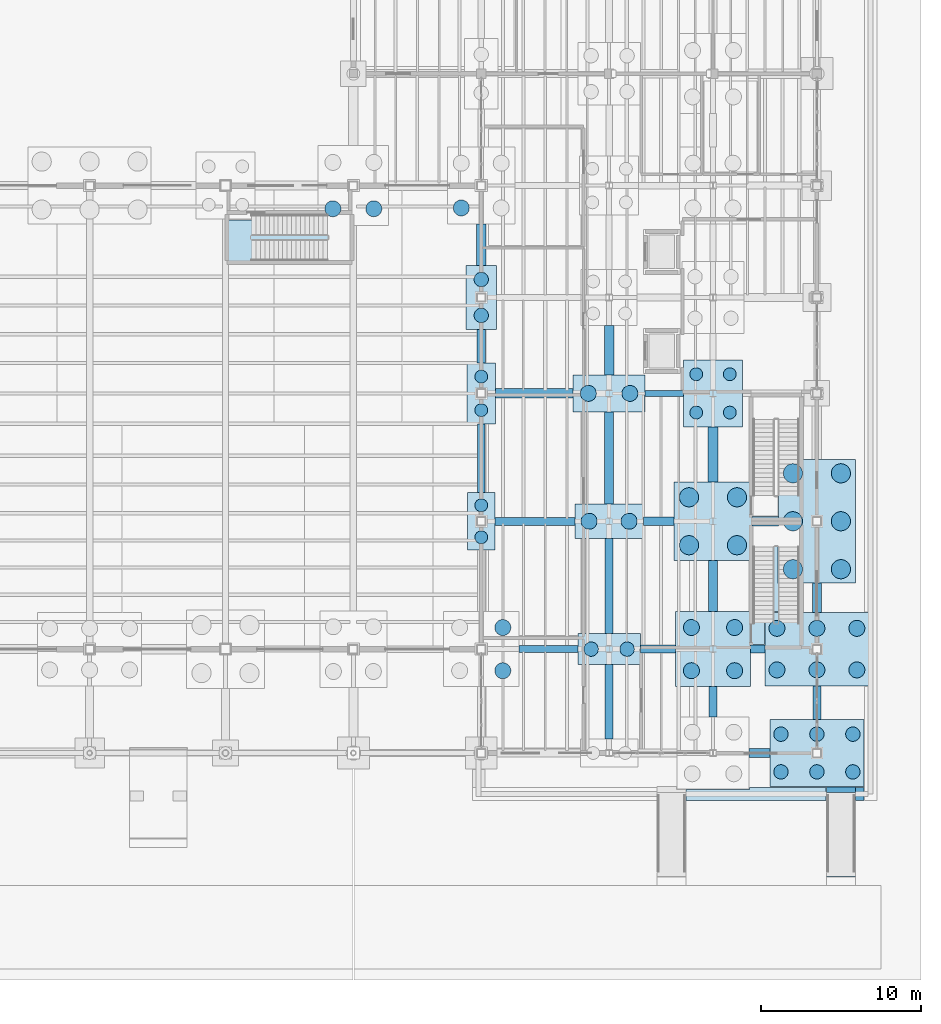
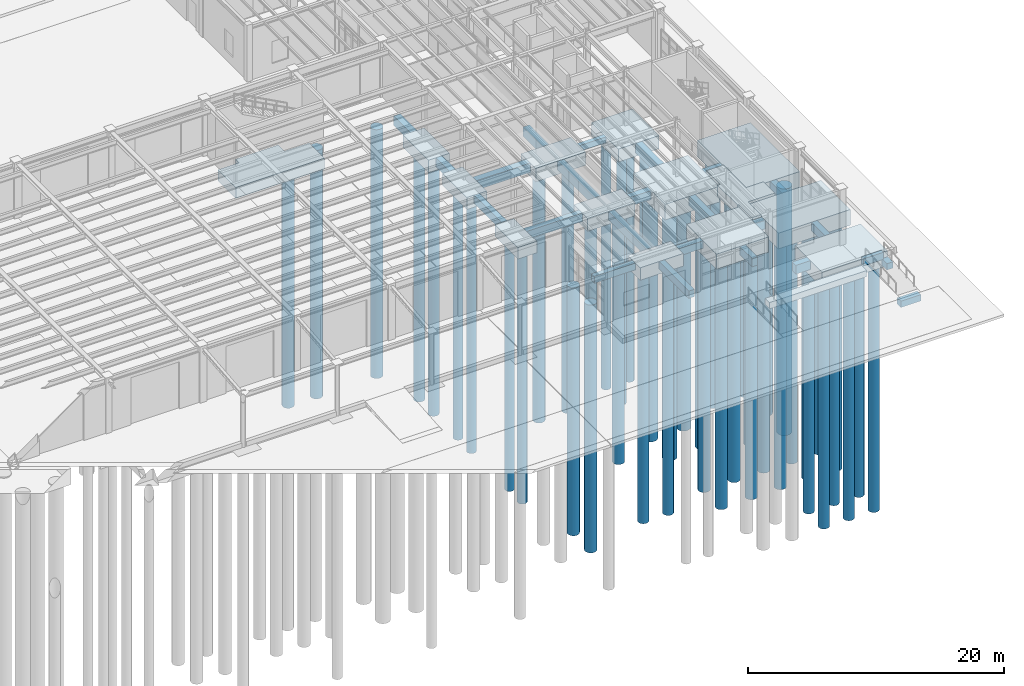
# One storey, part 8 of 86: 47 piles, 39 footings.
"""IFC4 building model written with IfcOpenShell, lengths in metres."""

from ifc_helpers import new_model, si_unit, direction, frame, origin, origin_2d, place, context, subcontext, project, spatial, polyline, rectangle, circle, outline, extrude, material, material_profile, profile_set, type_object, element, save


model = new_model("IFC4")

# Units and contexts
model_context = context("Model", 3, precision=1e-05, world=origin(), true_north=direction((0.0, 1.0)))
body_context = subcontext(model_context, "Body", "Model", "MODEL_VIEW")
ifc_project = project(units=[si_unit("LENGTHUNIT", "METRE"), si_unit("AREAUNIT", "SQUARE_METRE"), si_unit("VOLUMEUNIT", "CUBIC_METRE"), si_unit("PLANEANGLEUNIT", "RADIAN"), si_unit("MASSUNIT", "GRAM", prefix="KILO"), si_unit("THERMODYNAMICTEMPERATUREUNIT", "KELVIN"), si_unit("POWERUNIT", "WATT")], contexts=[model_context])

# Site, building, storey
site_placement = place(None, origin())
site = spatial("IfcSite", under=ifc_project, at=site_placement, CompositionType="ELEMENT")
building_placement = place(site_placement, origin())
building = spatial("IfcBuilding", under=site, at=building_placement, Name="Zhenchuan Central Fire Station", CompositionType="ELEMENT")
storey_placement = place(building_placement, frame((0.0, 0.0, 0.449951171875)))
storey = spatial("IfcBuildingStorey", under=building, at=storey_placement, Name="L01", CompositionType="ELEMENT", Elevation=0.449951171875)

# Footings
ifc_material_1 = material(Name="Concrete C35/45", Category="concrete")
footing_type_1 = type_object("IfcFootingType", Name="FB-380x550", PredefinedType="FOOTING_BEAM", material=ifc_material_1)
footing_1_placement = place(storey_placement, frame((0.0, 0.0, -1.0)))
element("IfcFooting", 1, at=footing_1_placement, inside=storey, type_object=footing_type_1, Name="Foundation Tie Beam FB-X-057", PredefinedType="FOOTING_BEAM", context=body_context, shape_type="SweptSolid", body=[
    extrude(outline(polyline([(150.25, 22.31005859375), (152.64990234375, 22.31005859375), (152.64990234375, 22.68994140625), (150.25, 22.68994140625), (150.25, 22.31005859375)])), origin(), (0.0, 0.0, 1.0), 0.550048828125),
])
footing_type_2 = type_object("IfcFootingType", Name="FB-450x650", PredefinedType="FOOTING_BEAM", material=ifc_material_1)
footing_2_placement = place(storey_placement, frame((0.0, 0.0, -1.099853515625)))
element("IfcFooting", 2, at=footing_2_placement, inside=storey, type_object=footing_type_2, Name="Foundation Tie Beam FB-X-038", PredefinedType="FOOTING_BEAM", context=body_context, shape_type="SweptSolid", body=[
    extrude(outline(polyline([(142.35009765625, 6.27490234375), (146.050048828125, 6.27490234375), (146.050048828125, 6.72509765625), (142.35009765625, 6.72509765625), (142.35009765625, 6.27490234375)])), origin(), (0.0, 0.0, 1.0), 0.64990234375),
])
footing_type_3 = type_object("IfcFootingType", Name="FB-500x700", PredefinedType="FOOTING_BEAM", material=ifc_material_1)
footing_3_placement = place(storey_placement, frame((0.0, 0.0, -1.14990234375)))
element("IfcFooting", 3, at=footing_3_placement, inside=storey, type_object=footing_type_3, Name="Foundation Tie Beam FB-X-039", PredefinedType="FOOTING_BEAM", context=body_context, shape_type="SweptSolid", body=[
    extrude(outline(polyline([(149.949951171875, 6.25), (152.14990234375, 6.25), (152.14990234375, 6.75), (149.949951171875, 6.75), (149.949951171875, 6.25)])), origin(), (0.0, 0.0, 1.0), 0.699951171875),
])
footing_4_placement = place(storey_placement, frame((0.0, 0.0, -1.14990234375)))
element("IfcFooting", 4, at=footing_4_placement, inside=storey, type_object=footing_type_3, Name="Foundation Tie Beam FB-Y-200", PredefinedType="FOOTING_BEAM", context=body_context, shape_type="SweptSolid", body=[
    extrude(outline(polyline([(147.75, 0.875), (148.25, 0.875), (148.25, 5.52490234375), (147.75, 5.52490234375), (147.75, 0.875)])), origin(), (0.0, 0.0, 1.0), 0.699951171875),
])
footing_type_4 = type_object("IfcFootingType", Name="FB-500x800", PredefinedType="FOOTING_BEAM", material=ifc_material_1)
footing_5_placement = place(storey_placement, frame((0.0, 0.0, -1.25)))
element("IfcFooting", 5, at=footing_5_placement, inside=storey, type_object=footing_type_4, Name="Foundation Tie Beam FB-X-040", PredefinedType="FOOTING_BEAM", context=body_context, shape_type="SweptSolid", body=[
    extrude(outline(polyline([(156.85009765625, 6.25), (157.75, 6.25), (157.75, 6.75), (156.85009765625, 6.75), (156.85009765625, 6.25)])), origin(), (0.0, 0.0, 1.0), 0.800048828125),
])
footing_6_placement = place(storey_placement, frame((0.0, 0.0, -1.25)))
element("IfcFooting", 6, at=footing_6_placement, inside=storey, type_object=footing_type_4, Name="Foundation Tie Beam FB-X-047", PredefinedType="FOOTING_BEAM", context=body_context, shape_type="SweptSolid", body=[
    extrude(outline(polyline([(140.85009765625, 14.25), (145.85009765625, 14.25), (145.85009765625, 14.75), (140.85009765625, 14.75), (140.85009765625, 14.25)])), origin(), (0.0, 0.0, 1.0), 0.800048828125),
])
footing_7_placement = place(storey_placement, frame((0.0, 0.0, -1.25)))
element("IfcFooting", 7, at=footing_7_placement, inside=storey, type_object=footing_type_4, Name="Foundation Tie Beam FB-Y-194", PredefinedType="FOOTING_BEAM", context=body_context, shape_type="SweptSolid", body=[
    extrude(outline(polyline([(139.75, 16.300048828125), (140.25, 16.300048828125), (140.25, 20.60009765625), (139.75, 20.60009765625), (139.75, 16.300048828125)])), origin(), (0.0, 0.0, 1.0), 0.800048828125),
])
footing_8_placement = place(storey_placement, frame((0.0, 0.0, -1.25)))
element("IfcFooting", 8, at=footing_8_placement, inside=storey, type_object=footing_type_4, Name="Foundation Tie Beam FB-Y-201", PredefinedType="FOOTING_BEAM", context=body_context, shape_type="SweptSolid", body=[
    extrude(outline(polyline([(147.75, 7.47509765625), (148.25, 7.47509765625), (148.25, 13.425048828125), (147.75, 13.425048828125), (147.75, 7.47509765625)])), origin(), (0.0, 0.0, 1.0), 0.800048828125),
])
footing_9_placement = place(storey_placement, frame((0.0, 0.0, -1.25)))
element("IfcFooting", 9, at=footing_9_placement, inside=storey, type_object=footing_type_4, Name="Foundation Tie Beam FB-Y-208", PredefinedType="FOOTING_BEAM", context=body_context, shape_type="SweptSolid", body=[
    extrude(outline(polyline([(154.25, 2.25), (154.75, 2.25), (154.75, 4.14990234375), (154.25, 4.14990234375), (154.25, 2.25)])), origin(), (0.0, 0.0, 1.0), 0.800048828125),
])
footing_10_placement = place(storey_placement, frame((0.0, 0.0, -1.25)))
element("IfcFooting", 10, at=footing_10_placement, inside=storey, type_object=footing_type_4, Name="Foundation Tie Beam FB-Y-215", PredefinedType="FOOTING_BEAM", context=body_context, shape_type="SweptSolid", body=[
    extrude(outline(polyline([(160.75, 2.10009765625), (161.25, 2.10009765625), (161.25, 4.199951171875), (160.75, 4.199951171875), (160.75, 2.10009765625)])), origin(), (0.0, 0.0, 1.0), 0.800048828125),
])
footing_type_5 = type_object("IfcFootingType", Name="FB-550x850", PredefinedType="FOOTING_BEAM", material=ifc_material_1)
footing_11_placement = place(storey_placement, frame((0.0, 0.0, -1.300048828125)))
element("IfcFooting", 11, at=footing_11_placement, inside=storey, type_object=footing_type_5, Name="Foundation Tie Beam FB-X-020", PredefinedType="FOOTING_BEAM", context=body_context, shape_type="SweptSolid", body=[
    extrude(outline(polyline([(156.75, -0.27490234375), (158.050048828125, -0.27490234375), (158.050048828125, 0.27490234375), (156.75, 0.27490234375), (156.75, -0.27490234375)])), origin(), (0.0, 0.0, 1.0), 0.85009765625),
])
footing_12_placement = place(storey_placement, frame((0.0, 0.0, -1.300048828125)))
element("IfcFooting", 12, at=footing_12_placement, inside=storey, type_object=footing_type_5, Name="Foundation Tie Beam FB-X-048", PredefinedType="FOOTING_BEAM", context=body_context, shape_type="SweptSolid", body=[
    extrude(outline(polyline([(150.14990234375, 14.22509765625), (152.050048828125, 14.22509765625), (152.050048828125, 14.77490234375), (150.14990234375, 14.77490234375), (150.14990234375, 14.22509765625)])), origin(), (0.0, 0.0, 1.0), 0.85009765625),
])
footing_13_placement = place(storey_placement, frame((0.0, 0.0, -1.300048828125)))
element("IfcFooting", 13, at=footing_13_placement, inside=storey, type_object=footing_type_5, Name="Foundation Tie Beam FB-Y-195", PredefinedType="FOOTING_BEAM", context=body_context, shape_type="SweptSolid", body=[
    extrude(outline(polyline([(139.72509765625, 24.39990234375), (140.27490234375, 24.39990234375), (140.27490234375, 26.5), (139.72509765625, 26.5), (139.72509765625, 24.39990234375)])), origin(), (0.0, 0.0, 1.0), 0.85009765625),
])
footing_14_placement = place(storey_placement, frame((0.0, 0.0, -1.300048828125)))
element("IfcFooting", 14, at=footing_14_placement, inside=storey, type_object=footing_type_5, Name="Foundation Tie Beam FB-Y-202", PredefinedType="FOOTING_BEAM", context=body_context, shape_type="SweptSolid", body=[
    extrude(outline(polyline([(147.72509765625, 15.574951171875), (148.27490234375, 15.574951171875), (148.27490234375, 21.35009765625), (147.72509765625, 21.35009765625), (147.72509765625, 15.574951171875)])), origin(), (0.0, 0.0, 1.0), 0.85009765625),
])
footing_15_placement = place(storey_placement, frame((0.0, 0.0, -1.300048828125)))
element("IfcFooting", 15, at=footing_15_placement, inside=storey, type_object=footing_type_5, Name="Foundation Tie Beam FB-Y-209", PredefinedType="FOOTING_BEAM", context=body_context, shape_type="SweptSolid", body=[
    extrude(outline(polyline([(154.22509765625, 8.85009765625), (154.77490234375, 8.85009765625), (154.77490234375, 12.050048828125), (154.22509765625, 12.050048828125), (154.22509765625, 8.85009765625)])), origin(), (0.0, 0.0, 1.0), 0.85009765625),
])
footing_16_placement = place(storey_placement, frame((0.0, 0.0, -1.300048828125)))
element("IfcFooting", 16, at=footing_16_placement, inside=storey, type_object=footing_type_5, Name="Foundation Tie Beam FB-Y-216", PredefinedType="FOOTING_BEAM", context=body_context, shape_type="SweptSolid", body=[
    extrude(outline(polyline([(160.72509765625, 8.800048828125), (161.27490234375, 8.800048828125), (161.27490234375, 10.64990234375), (160.72509765625, 10.64990234375), (160.72509765625, 8.800048828125)])), origin(), (0.0, 0.0, 1.0), 0.85009765625),
])
footing_type_6 = type_object("IfcFootingType", Name="FB-600x900", PredefinedType="FOOTING_BEAM", material=ifc_material_1)
footing_17_placement = place(storey_placement, frame((0.0, 0.0, -1.349853515625)))
element("IfcFooting", 17, at=footing_17_placement, inside=storey, type_object=footing_type_6, Name="Foundation Tie Beam FB-X-049", PredefinedType="FOOTING_BEAM", context=body_context, shape_type="SweptSolid", body=[
    extrude(outline(polyline([(156.949951171875, 14.199951171875), (158.60009765625, 14.199951171875), (158.60009765625, 14.800048828125), (156.949951171875, 14.800048828125), (156.949951171875, 14.199951171875)])), origin(), (0.0, 0.0, 1.0), 0.89990234375),
])
footing_18_placement = place(storey_placement, frame((0.0, 0.0, -1.349853515625)))
element("IfcFooting", 18, at=footing_18_placement, inside=storey, type_object=footing_type_6, Name="Foundation Tie Beam FB-X-056", PredefinedType="FOOTING_BEAM", context=body_context, shape_type="SweptSolid", body=[
    extrude(outline(polyline([(140.89990234375, 22.199951171875), (145.75, 22.199951171875), (145.75, 22.800048828125), (140.89990234375, 22.800048828125), (140.89990234375, 22.199951171875)])), origin(), (0.0, 0.0, 1.0), 0.89990234375),
])
footing_19_placement = place(storey_placement, frame((0.0, 0.0, -1.349853515625)))
element("IfcFooting", 19, at=footing_19_placement, inside=storey, type_object=footing_type_6, Name="Foundation Tie Beam FB-Y-196", PredefinedType="FOOTING_BEAM", context=body_context, shape_type="SweptSolid", body=[
    extrude(outline(polyline([(139.699951171875, 30.5), (140.300048828125, 30.5), (140.300048828125, 33.10009765625), (139.699951171875, 33.10009765625), (139.699951171875, 30.5)])), origin(), (0.0, 0.0, 1.0), 0.89990234375),
])
footing_20_placement = place(storey_placement, frame((0.0, 0.0, -1.349853515625)))
element("IfcFooting", 20, at=footing_20_placement, inside=storey, type_object=footing_type_6, Name="Foundation Tie Beam FB-Y-203", PredefinedType="FOOTING_BEAM", context=body_context, shape_type="SweptSolid", body=[
    extrude(outline(polyline([(147.699951171875, 23.64990234375), (148.300048828125, 23.64990234375), (148.300048828125, 26.75), (147.699951171875, 26.75), (147.699951171875, 23.64990234375)])), origin(), (0.0, 0.0, 1.0), 0.89990234375),
])
footing_21_placement = place(storey_placement, frame((0.0, 0.0, -1.349853515625)))
element("IfcFooting", 21, at=footing_21_placement, inside=storey, type_object=footing_type_6, Name="Foundation Tie Beam FB-Y-210", PredefinedType="FOOTING_BEAM", context=body_context, shape_type="SweptSolid", body=[
    extrude(outline(polyline([(154.199951171875, 16.949951171875), (154.800048828125, 16.949951171875), (154.800048828125, 20.39990234375), (154.199951171875, 20.39990234375), (154.199951171875, 16.949951171875)])), origin(), (0.0, 0.0, 1.0), 0.89990234375),
])
ifc_material_2 = material(Name="Concrete C40/50", Category="concrete")
footing_type_7 = type_object("IfcFootingType", Name="PAD-CORE", PredefinedType="PAD_FOOTING", material=ifc_material_2)
footing_22_placement = place(storey_placement, frame((0.0, 0.0, -1.300048828125)))
element("IfcFooting", 22, at=footing_22_placement, inside=storey, type_object=footing_type_7, Name="ST-09 Core Foundation Mat Footing", PredefinedType="PAD_FOOTING", context=body_context, shape_type="SweptSolid", body=[
    extrude(outline(polyline([(132.0048828125, 30.574951171875), (123.9951171875, 30.574951171875), (123.9951171875, 33.360107421875), (125.889892578125, 33.360107421875), (125.889892578125, 33.925048828125), (129.760009765625, 33.925048828125), (129.760009765625, 32.9599609375), (132.0048828125, 32.9599609375), (132.0048828125, 30.574951171875)])), origin(), (0.0, 0.0, 1.0), 1.050048828125),
])
footing_23_placement = place(storey_placement, frame((0.0, 0.0, -1.300048828125)))
element("IfcFooting", 23, at=footing_23_placement, inside=storey, type_object=footing_type_7, Name="ST-10 Core Foundation Mat Footing", PredefinedType="PAD_FOOTING", context=body_context, shape_type="SweptSolid", body=[
    extrude(outline(polyline([(160.125, 8.840087890625), (157.7099609375, 8.840087890625), (157.7099609375, 6.7900390625), (156.889892578125, 6.7900390625), (156.889892578125, 8.889892578125), (156.77490234375, 8.889892578125), (156.77490234375, 12.010009765625), (156.989990234375, 12.010009765625), (156.989990234375, 14.159912109375), (158.56005859375, 14.159912109375), (158.56005859375, 10.610107421875), (160.125, 10.610107421875), (160.125, 8.840087890625)])), origin(), (0.0, 0.0, 1.0), 1.050048828125),
])
footing_type_8 = type_object("IfcFootingType", Name="PAD-RMP", PredefinedType="PAD_FOOTING", material=ifc_material_1)
footing_24_placement = place(storey_placement, frame((162.5, -8.010009765625, -1.31005859375), z_axis=(0.0, 0.0, 1.0), x_axis=(1.0, 0.0, 0.0)))
element("IfcFooting", 24, at=footing_24_placement, inside=storey, type_object=footing_type_8, Name="East Promenade Accessible Ramp RP-05 Toe Pad Footing", PredefinedType="PAD_FOOTING", context=body_context, shape_type="SweptSolid", body=[
    extrude(rectangle(XDim=1.800048828125, YDim=0.580078125, at=origin_2d()), origin(), (0.0, 0.0, 1.0), 0.60009765625),
])
footing_25_placement = place(storey_placement, frame((0.0, 0.0, -0.849853515625)))
element("IfcFooting", 25, at=footing_25_placement, inside=storey, type_object=footing_type_8, Name="East Promenade Accessible Ramp RP-05 Head Pedestal Footing", PredefinedType="PAD_FOOTING", context=body_context, shape_type="SweptSolid", body=[
    extrude(outline(polyline([(163.39990234375, -2.47998046875), (161.60009765625, -2.47998046875), (161.60009765625, -2.1298828125), (163.39990234375, -2.1298828125), (163.39990234375, -2.47998046875)])), origin(), (0.0, 0.0, 1.0), 0.669921875),
])
footing_type_9 = type_object("IfcFootingType", Name="PC-06", PredefinedType="PILE_CAP", material=ifc_material_2)
footing_26_placement = place(storey_placement, frame((140.0, 14.5, -1.550048828125), z_axis=(0.0, 0.0, 1.0), x_axis=(1.0, 0.0, 0.0)))
element("IfcFooting", 26, at=footing_26_placement, inside=storey, type_object=footing_type_9, Name="Pile Cap PC-06 at (140.0,14.5)", PredefinedType="PILE_CAP", context=body_context, shape_type="SweptSolid", body=[
    extrude(rectangle(XDim=1.699951171875, YDim=3.60009765625, at=origin_2d()), origin(), (0.0, 0.0, 1.0), 1.10009765625),
])
footing_type_10 = type_object("IfcFootingType", Name="PC-07", PredefinedType="PILE_CAP", material=ifc_material_2)
footing_27_placement = place(storey_placement, frame((140.0, 22.5, -1.599853515625), z_axis=(0.0, 0.0, 1.0), x_axis=(1.0, 0.0, 0.0)))
element("IfcFooting", 27, at=footing_27_placement, inside=storey, type_object=footing_type_10, Name="Pile Cap PC-07 at (140.0,22.5)", PredefinedType="PILE_CAP", context=body_context, shape_type="SweptSolid", body=[
    extrude(rectangle(XDim=1.800048828125, YDim=3.800048828125, at=origin_2d()), origin(), (0.0, 0.0, 1.0), 1.14990234375),
])
footing_type_11 = type_object("IfcFootingType", Name="PC-08", PredefinedType="PILE_CAP", material=ifc_material_2)
footing_28_placement = place(storey_placement, frame((140.0, 28.5, -1.64990234375), z_axis=(0.0, 0.0, 1.0), x_axis=(1.0, 0.0, 0.0)))
element("IfcFooting", 28, at=footing_28_placement, inside=storey, type_object=footing_type_11, Name="Pile Cap PC-08 at (140.0,28.5)", PredefinedType="PILE_CAP", context=body_context, shape_type="SweptSolid", body=[
    extrude(rectangle(XDim=1.89990234375, YDim=4.0, at=origin_2d()), origin(), (0.0, 0.0, 1.0), 1.199951171875),
])
footing_type_12 = type_object("IfcFootingType", Name="PC-14", PredefinedType="PILE_CAP", material=ifc_material_2)
footing_29_placement = place(storey_placement, frame((148.0, 6.5, -1.64990234375), z_axis=(0.0, 0.0, 1.0), x_axis=(1.0, 0.0, 0.0)))
element("IfcFooting", 29, at=footing_29_placement, inside=storey, type_object=footing_type_12, Name="Pile Cap PC-14 at (148.0,6.5)", PredefinedType="PILE_CAP", context=body_context, shape_type="SweptSolid", body=[
    extrude(rectangle(XDim=3.89990234375, YDim=1.949951171875, at=origin_2d()), origin(), (0.0, 0.0, 1.0), 1.199951171875),
])
footing_type_13 = type_object("IfcFootingType", Name="PC-15", PredefinedType="PILE_CAP", material=ifc_material_2)
footing_30_placement = place(storey_placement, frame((148.0, 14.5, -1.699951171875), z_axis=(0.0, 0.0, 1.0), x_axis=(1.0, 0.0, 0.0)))
element("IfcFooting", 30, at=footing_30_placement, inside=storey, type_object=footing_type_13, Name="Pile Cap PC-15 at (148.0,14.5)", PredefinedType="PILE_CAP", context=body_context, shape_type="SweptSolid", body=[
    extrude(rectangle(XDim=4.300048828125, YDim=2.14990234375, at=origin_2d()), origin(), (0.0, 0.0, 1.0), 1.25),
])
footing_type_14 = type_object("IfcFootingType", Name="PC-16", PredefinedType="PILE_CAP", material=ifc_material_2)
footing_31_placement = place(storey_placement, frame((148.0, 22.5, -1.72998046875), z_axis=(0.0, 0.0, 1.0), x_axis=(1.0, 0.0, 0.0)))
element("IfcFooting", 31, at=footing_31_placement, inside=storey, type_object=footing_type_14, Name="Pile Cap PC-16 at (148.0,22.5)", PredefinedType="PILE_CAP", context=body_context, shape_type="SweptSolid", body=[
    extrude(rectangle(XDim=4.5, YDim=2.300048828125, at=origin_2d()), origin(), (0.0, 0.0, 1.0), 1.280029296875),
])
footing_type_15 = type_object("IfcFootingType", Name="PC-23", PredefinedType="PILE_CAP", material=ifc_material_2)
footing_32_placement = place(storey_placement, frame((154.5, 6.5, -1.89990234375), z_axis=(0.0, 0.0, 1.0), x_axis=(1.0, 0.0, 0.0)))
element("IfcFooting", 32, at=footing_32_placement, inside=storey, type_object=footing_type_15, Name="Pile Cap PC-23 at (154.5,6.5)", PredefinedType="PILE_CAP", context=body_context, shape_type="SweptSolid", body=[
    extrude(rectangle(XDim=4.699951171875, YDim=4.699951171875, at=origin_2d()), origin(), (0.0, 0.0, 1.0), 1.449951171875),
])
footing_type_16 = type_object("IfcFootingType", Name="PC-24", PredefinedType="PILE_CAP", material=ifc_material_2)
footing_33_placement = place(storey_placement, frame((154.5, 14.5, -1.949951171875), z_axis=(0.0, 0.0, 1.0), x_axis=(1.0, 0.0, 0.0)))
element("IfcFooting", 33, at=footing_33_placement, inside=storey, type_object=footing_type_16, Name="Pile Cap PC-24 at (154.5,14.5)", PredefinedType="PILE_CAP", context=body_context, shape_type="SweptSolid", body=[
    extrude(rectangle(XDim=4.89990234375, YDim=4.89990234375, at=origin_2d()), origin(), (0.0, 0.0, 1.0), 1.5),
])
footing_type_17 = type_object("IfcFootingType", Name="PC-25", PredefinedType="PILE_CAP", material=ifc_material_2)
footing_34_placement = place(storey_placement, frame((154.5, 22.5, -1.699951171875), z_axis=(0.0, 0.0, 1.0), x_axis=(1.0, 0.0, 0.0)))
element("IfcFooting", 34, at=footing_34_placement, inside=storey, type_object=footing_type_17, Name="Pile Cap PC-25 at (154.5,22.5)", PredefinedType="PILE_CAP", context=body_context, shape_type="SweptSolid", body=[
    extrude(rectangle(XDim=3.699951171875, YDim=4.199951171875, at=origin_2d()), origin(), (0.0, 0.0, 1.0), 1.25),
])
footing_type_18 = type_object("IfcFootingType", Name="PC-30", PredefinedType="PILE_CAP", material=ifc_material_2)
footing_35_placement = place(storey_placement, frame((161.0, 0.0, -1.89990234375), z_axis=(0.0, 0.0, 1.0), x_axis=(1.0, 0.0, 0.0)))
element("IfcFooting", 35, at=footing_35_placement, inside=storey, type_object=footing_type_18, Name="Pile Cap PC-30 at (161.0,0.0)", PredefinedType="PILE_CAP", context=body_context, shape_type="SweptSolid", body=[
    extrude(rectangle(XDim=5.89990234375, YDim=4.199951171875, at=origin_2d()), origin(), (0.0, 0.0, 1.0), 1.449951171875),
])
footing_type_19 = type_object("IfcFootingType", Name="PC-31", PredefinedType="PILE_CAP", material=ifc_material_2)
footing_36_placement = place(storey_placement, frame((161.0, 6.5, -1.949951171875), z_axis=(0.0, 0.0, 1.0), x_axis=(1.0, 0.0, 0.0)))
element("IfcFooting", 36, at=footing_36_placement, inside=storey, type_object=footing_type_19, Name="Pile Cap PC-31 at (161.0,6.5)", PredefinedType="PILE_CAP", context=body_context, shape_type="SweptSolid", body=[
    extrude(rectangle(XDim=6.5, YDim=4.60009765625, at=origin_2d()), origin(), (0.0, 0.0, 1.0), 1.5),
])
footing_type_20 = type_object("IfcFootingType", Name="PC-32", PredefinedType="PILE_CAP", material=ifc_material_2)
footing_37_placement = place(storey_placement, frame((161.0, 14.5, -2.0), z_axis=(0.0, 0.0, 1.0), x_axis=(0.0, 1.0, 0.0)))
element("IfcFooting", 37, at=footing_37_placement, inside=storey, type_object=footing_type_20, Name="Pile Cap PC-32 at (161.0,14.5)", PredefinedType="PILE_CAP", context=body_context, shape_type="SweptSolid", body=[
    extrude(rectangle(XDim=7.699951171875, YDim=4.800048828125, at=origin_2d()), origin(), (0.0, 0.0, 1.0), 1.550048828125),
])

# Piles
ifc_material_profile_1 = material_profile(ifc_material_1, circle(Radius=0.5, at=origin_2d()), Name="PILE D1000")
ifc_profile_set_1 = profile_set([ifc_material_profile_1], Name="Concrete C35/45")
pile_type_1 = type_object("IfcPileType", Name="PILE-D1000", PredefinedType="BORED", material=ifc_profile_set_1)
for number, where, z_axis, x_axis, name in (
    (38, (130.719970703125, 34.050048828125, -1.72998046875), (0.0, 0.0, -1.0), (1.0, 0.0, 0.0), "Bored Pile 096-1"),
    (39, (133.280029296875, 34.050048828125, -1.72998046875), (0.0, 0.0, -1.0), (1.0, 0.0, 0.0), "Bored Pile 096-2"),
):
    element("IfcPile", number, at=place(storey_placement, frame(where, z_axis=z_axis, x_axis=x_axis)), inside=storey, type_object=pile_type_1, Name=name, PredefinedType="BORED", context=body_context, shape_type="SweptSolid", body=[
        extrude(circle(Radius=0.5, at=origin_2d()), origin(), (0.0, 0.0, 1.0), 23.719970703125),
    ])
for number, where, z_axis, x_axis, name in (
    (40, (141.35009765625, 5.14990234375, -1.800048828125), (0.0, 0.0, -1.0), (1.0, 0.0, 0.0), "Bored Pile 101-2"),
    (41, (141.35009765625, 7.85009765625, -1.800048828125), (0.0, 0.0, -1.0), (1.0, 0.0, 0.0), "Bored Pile 101-4"),
):
    element("IfcPile", number, at=place(storey_placement, frame(where, z_axis=z_axis, x_axis=x_axis)), inside=storey, type_object=pile_type_1, Name=name, PredefinedType="BORED", context=body_context, shape_type="SweptSolid", body=[
        extrude(circle(Radius=0.5, at=origin_2d()), origin(), (0.0, 0.0, 1.0), 23.64990234375),
    ])
pile_placement = place(storey_placement, frame((138.75, 34.10009765625, -1.699951171875), z_axis=(0.0, 0.0, -1.0), x_axis=(1.0, 0.0, 0.0)))
element("IfcPile", 42, at=pile_placement, inside=storey, type_object=pile_type_1, Name="Bored Pile 105-1", PredefinedType="BORED", context=body_context, shape_type="SweptSolid", body=[
    extrude(circle(Radius=0.5, at=origin_2d()), origin(), (0.0, 0.0, 1.0), 23.75),
])
for number, where, z_axis, x_axis, name in (
    (43, (146.75, 14.5, -1.599853515625), (0.0, 0.0, -1.0), (1.0, 0.0, 0.0), "Bored Pile 111-1"),
    (44, (149.25, 14.5, -1.599853515625), (0.0, 0.0, -1.0), (1.0, 0.0, 0.0), "Bored Pile 111-2"),
):
    element("IfcPile", number, at=place(storey_placement, frame(where, z_axis=z_axis, x_axis=x_axis)), inside=storey, type_object=pile_type_1, Name=name, PredefinedType="BORED", context=body_context, shape_type="SweptSolid", body=[
        extrude(circle(Radius=0.5, at=origin_2d()), origin(), (0.0, 0.0, 1.0), 23.85009765625),
    ])
for number, where, z_axis, x_axis, name in (
    (45, (146.699951171875, 22.5, -1.6298828125), (0.0, 0.0, -1.0), (1.0, 0.0, 0.0), "Bored Pile 112-1"),
    (46, (149.300048828125, 22.5, -1.6298828125), (0.0, 0.0, -1.0), (1.0, 0.0, 0.0), "Bored Pile 112-2"),
):
    element("IfcPile", number, at=place(storey_placement, frame(where, z_axis=z_axis, x_axis=x_axis)), inside=storey, type_object=pile_type_1, Name=name, PredefinedType="BORED", context=body_context, shape_type="SweptSolid", body=[
        extrude(circle(Radius=0.5, at=origin_2d()), origin(), (0.0, 0.0, 1.0), 23.820068359375),
    ])
for number, where, z_axis, x_axis, name in (
    (47, (153.14990234375, 5.14990234375, -1.800048828125), (0.0, 0.0, -1.0), (1.0, 0.0, 0.0), "Bored Pile 119-1"),
    (48, (155.85009765625, 5.14990234375, -1.800048828125), (0.0, 0.0, -1.0), (1.0, 0.0, 0.0), "Bored Pile 119-2"),
    (49, (153.14990234375, 7.85009765625, -1.800048828125), (0.0, 0.0, -1.0), (1.0, 0.0, 0.0), "Bored Pile 119-3"),
    (50, (155.85009765625, 7.85009765625, -1.800048828125), (0.0, 0.0, -1.0), (1.0, 0.0, 0.0), "Bored Pile 119-4"),
):
    element("IfcPile", number, at=place(storey_placement, frame(where, z_axis=z_axis, x_axis=x_axis)), inside=storey, type_object=pile_type_1, Name=name, PredefinedType="BORED", context=body_context, shape_type="SweptSolid", body=[
        extrude(circle(Radius=0.5, at=origin_2d()), origin(), (0.0, 0.0, 1.0), 23.64990234375),
    ])
for number, where, z_axis, x_axis, name in (
    (51, (158.5, 5.199951171875, -1.849853515625), (0.0, 0.0, -1.0), (1.0, 0.0, 0.0), "Bored Pile 127-1"),
    (52, (161.0, 5.199951171875, -1.849853515625), (0.0, 0.0, -1.0), (1.0, 0.0, 0.0), "Bored Pile 127-2"),
    (53, (163.5, 5.199951171875, -1.849853515625), (0.0, 0.0, -1.0), (1.0, 0.0, 0.0), "Bored Pile 127-3"),
    (54, (158.5, 7.800048828125, -1.849853515625), (0.0, 0.0, -1.0), (1.0, 0.0, 0.0), "Bored Pile 127-4"),
    (55, (161.0, 7.800048828125, -1.849853515625), (0.0, 0.0, -1.0), (1.0, 0.0, 0.0), "Bored Pile 127-5"),
    (56, (163.5, 7.800048828125, -1.849853515625), (0.0, 0.0, -1.0), (1.0, 0.0, 0.0), "Bored Pile 127-6"),
):
    element("IfcPile", number, at=place(storey_placement, frame(where, z_axis=z_axis, x_axis=x_axis)), inside=storey, type_object=pile_type_1, Name=name, PredefinedType="BORED", context=body_context, shape_type="SweptSolid", body=[
        extrude(circle(Radius=0.5, at=origin_2d()), origin(), (0.0, 0.0, 1.0), 23.60009765625),
    ])
ifc_material_profile_2 = material_profile(ifc_material_1, circle(Radius=0.60009765625, at=origin_2d()), Name="PILE D1200")
ifc_profile_set_2 = profile_set([ifc_material_profile_2], Name="Concrete C35/45")
pile_type_2 = type_object("IfcPileType", Name="PILE-D1200", PredefinedType="BORED", material=ifc_profile_set_2)
for number, where, z_axis, x_axis, name in (
    (57, (153.0, 13.0, -1.849853515625), (0.0, 0.0, -1.0), (1.0, 0.0, 0.0), "Bored Pile 120-1"),
    (58, (156.0, 13.0, -1.849853515625), (0.0, 0.0, -1.0), (1.0, 0.0, 0.0), "Bored Pile 120-2"),
    (59, (153.0, 16.0, -1.849853515625), (0.0, 0.0, -1.0), (1.0, 0.0, 0.0), "Bored Pile 120-3"),
    (60, (156.0, 16.0, -1.849853515625), (0.0, 0.0, -1.0), (1.0, 0.0, 0.0), "Bored Pile 120-4"),
):
    element("IfcPile", number, at=place(storey_placement, frame(where, z_axis=z_axis, x_axis=x_axis)), inside=storey, type_object=pile_type_2, Name=name, PredefinedType="BORED", context=body_context, shape_type="SweptSolid", body=[
        extrude(circle(Radius=0.60009765625, at=origin_2d()), origin(), (0.0, 0.0, 1.0), 23.60009765625),
    ])
for number, where, z_axis, x_axis, name in (
    (61, (162.5, 11.5, -1.89990234375), (0.0, 0.0, -1.0), (1.0, 0.0, 0.0), "Bored Pile 128-1"),
    (62, (162.5, 14.5, -1.89990234375), (0.0, 0.0, -1.0), (1.0, 0.0, 0.0), "Bored Pile 128-2"),
    (63, (162.5, 17.5, -1.89990234375), (0.0, 0.0, -1.0), (1.0, 0.0, 0.0), "Bored Pile 128-3"),
    (64, (159.5, 11.5, -1.89990234375), (0.0, 0.0, -1.0), (1.0, 0.0, 0.0), "Bored Pile 128-4"),
    (65, (159.5, 14.5, -1.89990234375), (0.0, 0.0, -1.0), (1.0, 0.0, 0.0), "Bored Pile 128-5"),
    (66, (159.5, 17.5, -1.89990234375), (0.0, 0.0, -1.0), (1.0, 0.0, 0.0), "Bored Pile 128-6"),
):
    element("IfcPile", number, at=place(storey_placement, frame(where, z_axis=z_axis, x_axis=x_axis)), inside=storey, type_object=pile_type_2, Name=name, PredefinedType="BORED", context=body_context, shape_type="SweptSolid", body=[
        extrude(circle(Radius=0.60009765625, at=origin_2d()), origin(), (0.0, 0.0, 1.0), 23.550048828125),
    ])
ifc_material_profile_3 = material_profile(ifc_material_1, circle(Radius=0.39990234375, at=origin_2d()), Name="PILE D800")
ifc_profile_set_3 = profile_set([ifc_material_profile_3], Name="Concrete C35/45")
pile_type_3 = type_object("IfcPileType", Name="PILE-D800", PredefinedType="BORED", material=ifc_profile_set_3)
for number, where, z_axis, x_axis, name in (
    (67, (140.0, 13.5, -1.449951171875), (0.0, 0.0, -1.0), (1.0, 0.0, 0.0), "Bored Pile 102-1"),
    (68, (140.0, 15.5, -1.449951171875), (0.0, 0.0, -1.0), (1.0, 0.0, 0.0), "Bored Pile 102-2"),
):
    element("IfcPile", number, at=place(storey_placement, frame(where, z_axis=z_axis, x_axis=x_axis)), inside=storey, type_object=pile_type_3, Name=name, PredefinedType="BORED", context=body_context, shape_type="SweptSolid", body=[
        extrude(circle(Radius=0.39990234375, at=origin_2d()), origin(), (0.0, 0.0, 1.0), 24.0),
    ])
for number, where, z_axis, x_axis, name in (
    (69, (140.0, 21.449951171875, -1.5), (0.0, 0.0, -1.0), (1.0, 0.0, 0.0), "Bored Pile 103-1"),
    (70, (140.0, 23.550048828125, -1.5), (0.0, 0.0, -1.0), (1.0, 0.0, 0.0), "Bored Pile 103-2"),
):
    element("IfcPile", number, at=place(storey_placement, frame(where, z_axis=z_axis, x_axis=x_axis)), inside=storey, type_object=pile_type_3, Name=name, PredefinedType="BORED", context=body_context, shape_type="SweptSolid", body=[
        extrude(circle(Radius=0.39990234375, at=origin_2d()), origin(), (0.0, 0.0, 1.0), 23.949951171875),
    ])
for number, where, z_axis, x_axis, name in (
    (71, (153.449951171875, 21.300048828125, -1.599853515625), (0.0, 0.0, -1.0), (1.0, 0.0, 0.0), "Bored Pile 121-1"),
    (72, (155.550048828125, 21.300048828125, -1.599853515625), (0.0, 0.0, -1.0), (1.0, 0.0, 0.0), "Bored Pile 121-2"),
    (73, (153.449951171875, 23.699951171875, -1.599853515625), (0.0, 0.0, -1.0), (1.0, 0.0, 0.0), "Bored Pile 121-3"),
    (74, (155.550048828125, 23.699951171875, -1.599853515625), (0.0, 0.0, -1.0), (1.0, 0.0, 0.0), "Bored Pile 121-4"),
):
    element("IfcPile", number, at=place(storey_placement, frame(where, z_axis=z_axis, x_axis=x_axis)), inside=storey, type_object=pile_type_3, Name=name, PredefinedType="BORED", context=body_context, shape_type="SweptSolid", body=[
        extrude(circle(Radius=0.39990234375, at=origin_2d()), origin(), (0.0, 0.0, 1.0), 23.85009765625),
    ])
ifc_material_profile_4 = material_profile(ifc_material_1, circle(Radius=0.449951171875, at=origin_2d()), Name="PILE D900")
ifc_profile_set_4 = profile_set([ifc_material_profile_4], Name="Concrete C35/45")
pile_type_4 = type_object("IfcPileType", Name="PILE-D900", PredefinedType="BORED", material=ifc_profile_set_4)
for number, where, z_axis, x_axis, name in (
    (75, (140.0, 27.375, -1.550048828125), (0.0, 0.0, -1.0), (1.0, 0.0, 0.0), "Bored Pile 104-1"),
    (76, (140.0, 29.625, -1.550048828125), (0.0, 0.0, -1.0), (1.0, 0.0, 0.0), "Bored Pile 104-2"),
    (77, (146.875, 6.5, -1.550048828125), (0.0, 0.0, -1.0), (1.0, 0.0, 0.0), "Bored Pile 110-1"),
    (78, (149.125, 6.5, -1.550048828125), (0.0, 0.0, -1.0), (1.0, 0.0, 0.0), "Bored Pile 110-2"),
):
    element("IfcPile", number, at=place(storey_placement, frame(where, z_axis=z_axis, x_axis=x_axis)), inside=storey, type_object=pile_type_4, Name=name, PredefinedType="BORED", context=body_context, shape_type="SweptSolid", body=[
        extrude(circle(Radius=0.449951171875, at=origin_2d()), origin(), (0.0, 0.0, 1.0), 23.89990234375),
    ])
for number, where, z_axis, x_axis, name in (
    (79, (158.75, -1.179931640625, -1.800048828125), (0.0, 0.0, -1.0), (1.0, 0.0, 0.0), "Bored Pile 126-1"),
    (80, (161.0, -1.179931640625, -1.800048828125), (0.0, 0.0, -1.0), (1.0, 0.0, 0.0), "Bored Pile 126-2"),
    (81, (163.25, -1.179931640625, -1.800048828125), (0.0, 0.0, -1.0), (1.0, 0.0, 0.0), "Bored Pile 126-3"),
    (82, (158.75, 1.179931640625, -1.800048828125), (0.0, 0.0, -1.0), (1.0, 0.0, 0.0), "Bored Pile 126-4"),
    (83, (161.0, 1.179931640625, -1.800048828125), (0.0, 0.0, -1.0), (1.0, 0.0, 0.0), "Bored Pile 126-5"),
    (84, (163.25, 1.179931640625, -1.800048828125), (0.0, 0.0, -1.0), (1.0, 0.0, 0.0), "Bored Pile 126-6"),
):
    element("IfcPile", number, at=place(storey_placement, frame(where, z_axis=z_axis, x_axis=x_axis)), inside=storey, type_object=pile_type_4, Name=name, PredefinedType="BORED", context=body_context, shape_type="SweptSolid", body=[
        extrude(circle(Radius=0.449951171875, at=origin_2d()), origin(), (0.0, 0.0, 1.0), 23.64990234375),
    ])

# Footings
footing_type_21 = type_object("IfcFootingType", Name="SF-800x600", PredefinedType="STRIP_FOOTING", material=ifc_material_1)
footing_38_placement = place(storey_placement, frame((0.0, 0.0, -1.599853515625)))
element("IfcFooting", 85, at=footing_38_placement, inside=storey, type_object=footing_type_21, Name="Plinth Perimeter Strip Footing SE-2 12", PredefinedType="STRIP_FOOTING", context=body_context, shape_type="SweptSolid", body=[
    extrude(outline(polyline([(161.580078125, -2.162109375), (161.580078125, -2.9619140625), (152.820068359375, -2.9619140625), (152.820068359375, -2.280029296875), (156.780029296875, -2.280029296875), (156.780029296875, -2.162109375), (161.580078125, -2.162109375)])), origin(), (0.0, 0.0, 1.0), 0.599853515625),
])
footing_39_placement = place(storey_placement, frame((0.0, 0.0, -1.599853515625)))
element("IfcFooting", 86, at=footing_39_placement, inside=storey, type_object=footing_type_21, Name="Plinth Perimeter Strip Footing SE-3 13", PredefinedType="STRIP_FOOTING", context=body_context, shape_type="SweptSolid", body=[
    extrude(outline(polyline([(163.419921875, -2.9619140625), (163.419921875, -2.162109375), (163.9580078125, -2.162109375), (163.9580078125, -2.9619140625), (163.419921875, -2.9619140625)])), origin(), (0.0, 0.0, 1.0), 0.599853515625),
])

save(model, "model.ifc")
